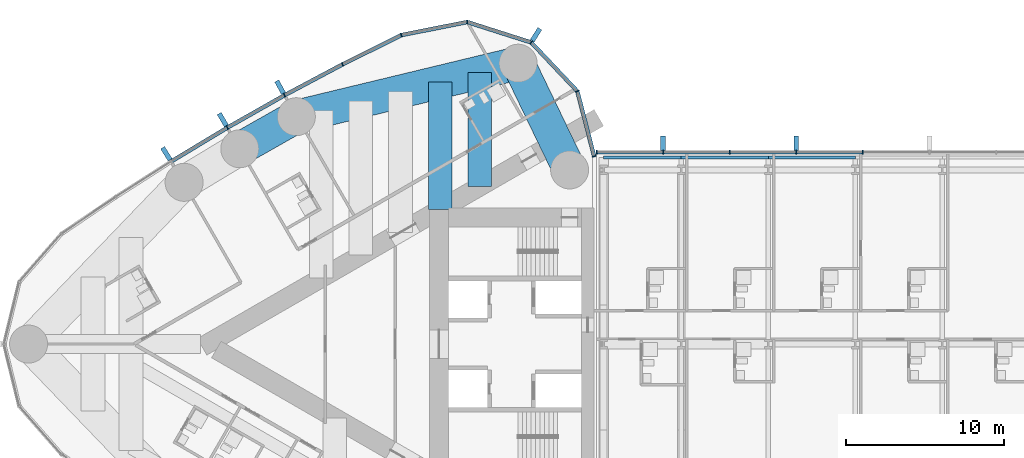
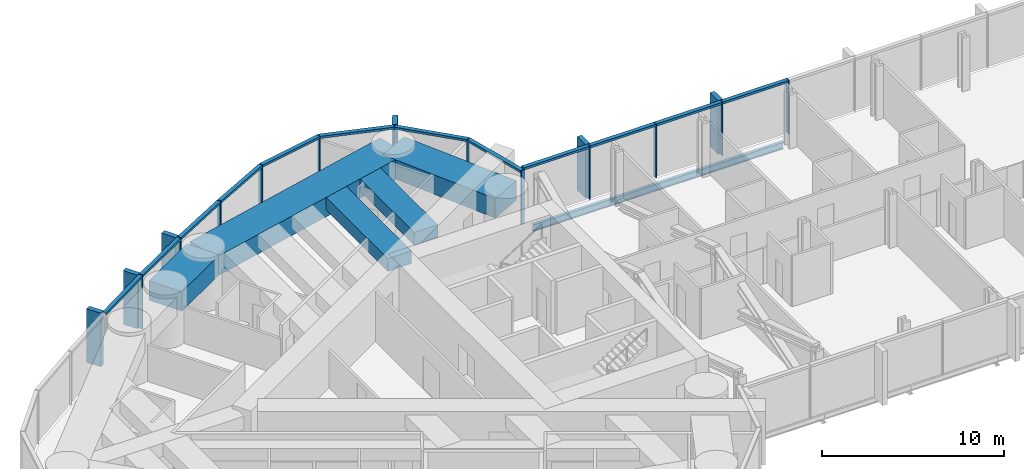
# One storey, part 5 of 22: 31 members, 8 beams, 2 elements without a shape of their own.
"""IFC4 building model written with IfcOpenShell, lengths in metres."""

from ifc_helpers import new_model, si_unit, direction, frame, origin, origin_2d, place, context, subcontext, project, spatial, rectangle, i_section, extrude, material, material_profile, profile_set, type_object, element, aggregate, save


model = new_model("IFC4")

# Units and contexts
model_context = context("Model", 3, precision=1e-05, world=origin(), true_north=direction((0.0, 1.0)))
body_context = subcontext(model_context, "Body", "Model", "MODEL_VIEW")
ifc_project = project(units=[si_unit("LENGTHUNIT", "METRE"), si_unit("AREAUNIT", "SQUARE_METRE"), si_unit("VOLUMEUNIT", "CUBIC_METRE"), si_unit("PLANEANGLEUNIT", "RADIAN"), si_unit("MASSUNIT", "GRAM", prefix="KILO")], contexts=[model_context])

# Site, building, storey
site_placement = place(None, origin())
site = spatial("IfcSite", under=ifc_project, at=site_placement, CompositionType="ELEMENT")
building_placement = place(site_placement, origin())
building = spatial("IfcBuilding", under=site, at=building_placement, Name="Lancet Gate Hotel", CompositionType="ELEMENT")
storey_placement = place(building_placement, frame((0.0, 0.0, 226.10009765625)))
storey = spatial("IfcBuildingStorey", under=building, at=storey_placement, Name="L60", CompositionType="ELEMENT", Elevation=226.10009765625)

# Curtain wall, members
ifc_material_1 = material(Name="Aluminium curtain wall", Category="aluminium")
curtain_wall_type_1 = type_object("IfcCurtainWallType", Name="Tower unitised curtain wall", PredefinedType="USERDEFINED", material=ifc_material_1)
curtain_wall_1_placement = place(storey_placement, origin())
curtain_wall_1 = element("IfcCurtainWall", 1, at=curtain_wall_1_placement, inside=storey, type_object=curtain_wall_type_1, Name="T1 L60 curtain wall 1", ObjectType="UNITISED CURTAIN WALL", PredefinedType="USERDEFINED")
ifc_material_2 = material(Name="Aluminium mullion", Category="aluminium")
ifc_material_profile_1 = material_profile(ifc_material_2, rectangle(XDim=0.06494140625, YDim=0.25, at=origin_2d()), Name="MULLION 65x250")
ifc_profile_set_1 = profile_set([ifc_material_profile_1], Name="Aluminium mullion")
member_type_1 = type_object("IfcMemberType", Name="Aluminium mullion 65x250", PredefinedType="MULLION", material=ifc_profile_set_1)
member_1_placement = place(storey_placement, frame((-27.5, 11.861572265625, 0.0), z_axis=(0.0, 0.0, 1.0), x_axis=(-0.249725827997, 0.968316586056, 0.0)))
member_1 = element("IfcMember", 2, at=member_1_placement, type_object=member_type_1, Name="T1 L60 curtain wall 1 mullion 1", PredefinedType="MULLION", context=body_context, shape_type="SweptSolid", body=[
    extrude(rectangle(XDim=0.06494140625, YDim=0.25, at=origin_2d()), origin(), (0.0, 0.0, 1.0), 3.599853515625),
])
member_2_placement = place(storey_placement, frame((-28.56005859375, 15.97216796875, 0.0), z_axis=(0.0, 0.0, 1.0), x_axis=(-0.483627322447, 0.875274021654, 0.0)))
member_2 = element("IfcMember", 3, at=member_2_placement, type_object=member_type_1, Name="T1 L60 curtain wall 1 mullion 2", PredefinedType="MULLION", context=body_context, shape_type="SweptSolid", body=[
    extrude(rectangle(XDim=0.06494140625, YDim=0.25, at=origin_2d()), origin(), (0.0, 0.0, 1.0), 3.599853515625),
])
member_3_placement = place(storey_placement, frame((-31.476318359375, 19.0576171875, 0.0), z_axis=(0.0, 0.0, 1.0), x_axis=(-0.846612863, 0.532209225966, 0.0)))
member_3 = element("IfcMember", 4, at=member_3_placement, type_object=member_type_1, Name="T1 L60 curtain wall 1 mullion 3", PredefinedType="MULLION", context=body_context, shape_type="SweptSolid", body=[
    extrude(rectangle(XDim=0.06494140625, YDim=0.25, at=origin_2d()), origin(), (0.0, 0.0, 1.0), 3.599853515625),
])
member_4_placement = place(storey_placement, frame((-35.520751953125, 20.347900390625, 0.0), z_axis=(0.0, 0.0, 1.0), x_axis=(-0.998409168318, 0.056383797491, 0.0)))
member_4 = element("IfcMember", 5, at=member_4_placement, type_object=member_type_1, Name="T1 L60 curtain wall 1 mullion 4", PredefinedType="MULLION", context=body_context, shape_type="SweptSolid", body=[
    extrude(rectangle(XDim=0.06494140625, YDim=0.25, at=origin_2d()), origin(), (0.0, 0.0, 1.0), 3.599853515625),
])
member_5_placement = place(storey_placement, frame((-39.684814453125, 19.521240234375, 0.0), z_axis=(0.0, 0.0, 1.0), x_axis=(-0.946887706423, -0.321564412561, 0.0)))
member_5 = element("IfcMember", 6, at=member_5_placement, type_object=member_type_1, Name="T1 L60 curtain wall 1 mullion 5", PredefinedType="MULLION", context=body_context, shape_type="SweptSolid", body=[
    extrude(rectangle(XDim=0.06494140625, YDim=0.25, at=origin_2d()), origin(), (0.0, 0.0, 1.0), 3.599853515625),
])
member_6_placement = place(storey_placement, frame((-43.3994140625, 17.67236328125, 0.0), z_axis=(0.0, 0.0, 1.0), x_axis=(-0.889155526065, -0.457605125046, 0.0)))
member_6 = element("IfcMember", 7, at=member_6_placement, type_object=member_type_1, Name="T1 L60 curtain wall 1 mullion 6", PredefinedType="MULLION", context=body_context, shape_type="SweptSolid", body=[
    extrude(rectangle(XDim=0.06494140625, YDim=0.25, at=origin_2d()), origin(), (0.0, 0.0, 1.0), 3.599853515625),
])
member_7_placement = place(storey_placement, frame((-47.062744140625, 15.72412109375, 0.0), z_axis=(0.0, 0.0, 1.0), x_axis=(-0.876516407283, -0.481371984815, 0.0)))
member_7 = element("IfcMember", 8, at=member_7_placement, type_object=member_type_1, Name="T1 L60 curtain wall 1 mullion 7", PredefinedType="MULLION", context=body_context, shape_type="SweptSolid", body=[
    extrude(rectangle(XDim=0.06494140625, YDim=0.25, at=origin_2d()), origin(), (0.0, 0.0, 1.0), 3.599853515625),
])
member_8_placement = place(storey_placement, frame((-50.67236328125, 13.677978515625, 0.0), z_axis=(0.0, 0.0, 1.0), x_axis=(-0.863242155108, -0.504790037189, 0.0)))
member_8 = element("IfcMember", 9, at=member_8_placement, type_object=member_type_1, Name="T1 L60 curtain wall 1 mullion 8", PredefinedType="MULLION", context=body_context, shape_type="SweptSolid", body=[
    extrude(rectangle(XDim=0.06494140625, YDim=0.25, at=origin_2d()), origin(), (0.0, 0.0, 1.0), 3.599853515625),
])

ifc_material_3 = material(Name="Aluminium curtain wall", Category="aluminium")
curtain_wall_type_2 = type_object("IfcCurtainWallType", Name="Bridge block curtain wall", PredefinedType="USERDEFINED", material=ifc_material_3)
curtain_wall_2_placement = place(storey_placement, origin())
curtain_wall_2 = element("IfcCurtainWall", 10, at=curtain_wall_2_placement, inside=storey, type_object=curtain_wall_type_2, Name="Bridge block L60 curtain wall N", ObjectType="UNITISED CURTAIN WALL", PredefinedType="USERDEFINED")
member_9_placement = place(storey_placement, frame((-10.519287109375, 12.1201171875, 0.0), z_axis=(0.0, 0.0, 1.0), x_axis=(-1.0, 0.0, 0.0)))
member_9 = element("IfcMember", 11, at=member_9_placement, type_object=member_type_1, Name="Bridge block L60 curtain wall N mullion 10", PredefinedType="MULLION", context=body_context, shape_type="SweptSolid", body=[
    extrude(rectangle(XDim=0.06494140625, YDim=0.25, at=origin_2d()), origin(), (0.0, 0.0, 1.0), 3.599853515625),
])
member_10_placement = place(storey_placement, frame((-14.726806640625, 12.1201171875, 0.0), z_axis=(0.0, 0.0, 1.0), x_axis=(-1.0, 0.0, 0.0)))
member_10 = element("IfcMember", 12, at=member_10_placement, type_object=member_type_1, Name="Bridge block L60 curtain wall N mullion 11", PredefinedType="MULLION", context=body_context, shape_type="SweptSolid", body=[
    extrude(rectangle(XDim=0.06494140625, YDim=0.25, at=origin_2d()), origin(), (0.0, 0.0, 1.0), 3.599853515625),
])
member_11_placement = place(storey_placement, frame((-18.9345703125, 12.1201171875, 0.0), z_axis=(0.0, 0.0, 1.0), x_axis=(-1.0, 0.0, 0.0)))
member_11 = element("IfcMember", 13, at=member_11_placement, type_object=member_type_1, Name="Bridge block L60 curtain wall N mullion 12", PredefinedType="MULLION", context=body_context, shape_type="SweptSolid", body=[
    extrude(rectangle(XDim=0.06494140625, YDim=0.25, at=origin_2d()), origin(), (0.0, 0.0, 1.0), 3.599853515625),
])
member_12_placement = place(storey_placement, frame((-23.142333984375, 12.1201171875, 0.0), z_axis=(0.0, 0.0, 1.0), x_axis=(-1.0, 0.0, 0.0)))
member_12 = element("IfcMember", 14, at=member_12_placement, type_object=member_type_1, Name="Bridge block L60 curtain wall N mullion 13", PredefinedType="MULLION", context=body_context, shape_type="SweptSolid", body=[
    extrude(rectangle(XDim=0.06494140625, YDim=0.25, at=origin_2d()), origin(), (0.0, 0.0, 1.0), 3.599853515625),
])
member_13_placement = place(storey_placement, frame((-27.35009765625, 12.1201171875, 0.0), z_axis=(0.0, 0.0, 1.0), x_axis=(-1.0, 0.0, 0.0)))
member_13 = element("IfcMember", 15, at=member_13_placement, type_object=member_type_1, Name="Bridge block L60 curtain wall N mullion 14", PredefinedType="MULLION", context=body_context, shape_type="SweptSolid", body=[
    extrude(rectangle(XDim=0.06494140625, YDim=0.25, at=origin_2d()), origin(), (0.0, 0.0, 1.0), 3.599853515625),
])

# Member
ifc_material_4 = material(Name="Aluminium transom", Category="aluminium")
ifc_material_profile_2 = material_profile(ifc_material_4, rectangle(XDim=0.25, YDim=0.14990234375, at=origin_2d()), Name="TRANSOM 250x150")
ifc_profile_set_2 = profile_set([ifc_material_profile_2], Name="Aluminium transom")
member_type_2 = type_object("IfcMemberType", Name="Aluminium transom 250x150", PredefinedType="USERDEFINED", material=ifc_profile_set_2)
member_14_placement = place(storey_placement, frame((-27.508056640625, 11.892822265625, 3.52490234375), z_axis=(-0.249715522936, 0.968319243641, 0.0), x_axis=(-0.968319243641, -0.249715522936, 0.0)))
member_14 = element("IfcMember", 16, at=member_14_placement, type_object=member_type_2, Name="T1 L60 curtain wall 1 transom 1", ObjectType="TRANSOM", PredefinedType="USERDEFINED", context=body_context, shape_type="SweptSolid", body=[
    extrude(rectangle(XDim=0.25, YDim=0.14990234375, at=origin_2d()), origin(), (0.0, 0.0, 1.0), 4.180419921875),
])

member_15_placement = place(storey_placement, frame((-28.58251953125, 15.995849609375, 3.52490234375), z_axis=(-0.686880731091, 0.726770157103, 0.0), x_axis=(-0.726770157103, -0.686880731091, 0.0)))
member_15 = element("IfcMember", 17, at=member_15_placement, type_object=member_type_2, Name="T1 L60 curtain wall 1 transom 2", ObjectType="TRANSOM", PredefinedType="USERDEFINED", context=body_context, shape_type="SweptSolid", body=[
    extrude(rectangle(XDim=0.25, YDim=0.14990234375, at=origin_2d()), origin(), (0.0, 0.0, 1.0), 4.18017578125),
])

member_16_placement = place(storey_placement, frame((-31.507080078125, 19.067626953125, 3.52490234375), z_axis=(-0.952697713775, 0.303919506068, 0.0), x_axis=(-0.303919506068, -0.952697713775, 0.0)))
member_16 = element("IfcMember", 18, at=member_16_placement, type_object=member_type_2, Name="T1 L60 curtain wall 1 transom 3", ObjectType="TRANSOM", PredefinedType="USERDEFINED", context=body_context, shape_type="SweptSolid", body=[
    extrude(rectangle(XDim=0.25, YDim=0.14990234375, at=origin_2d()), origin(), (0.0, 0.0, 1.0), 4.180419921875),
])

member_17_placement = place(storey_placement, frame((-35.552734375, 20.341552734375, 3.52490234375), z_axis=(-0.980858234867, -0.194723196085, 0.0), x_axis=(0.194723196085, -0.980858234867, 0.0)))
member_17 = element("IfcMember", 19, at=member_17_placement, type_object=member_type_2, Name="T1 L60 curtain wall 1 transom 4", ObjectType="TRANSOM", PredefinedType="USERDEFINED", context=body_context, shape_type="SweptSolid", body=[
    extrude(rectangle(XDim=0.25, YDim=0.14990234375, at=origin_2d()), origin(), (0.0, 0.0, 1.0), 4.18017578125),
])

member_18_placement = place(storey_placement, frame((-39.7138671875, 19.5068359375, 3.52490234375), z_axis=(-0.895226720479, -0.445610950202, 0.0), x_axis=(0.445610950202, -0.895226720479, 0.0)))
member_18 = element("IfcMember", 20, at=member_18_placement, type_object=member_type_2, Name="T1 L60 curtain wall 1 transom 5", ObjectType="TRANSOM", PredefinedType="USERDEFINED", context=body_context, shape_type="SweptSolid", body=[
    extrude(rectangle(XDim=0.25, YDim=0.14990234375, at=origin_2d()), origin(), (0.0, 0.0, 1.0), 4.08447265625),
])

member_19_placement = place(storey_placement, frame((-43.427978515625, 17.656982421875, 3.52490234375), z_axis=(-0.882944619844, -0.469477154171, 0.0), x_axis=(0.469477154171, -0.882944619844, 0.0)))
member_19 = element("IfcMember", 21, at=member_19_placement, type_object=member_type_2, Name="T1 L60 curtain wall 1 transom 6", ObjectType="TRANSOM", PredefinedType="USERDEFINED", context=body_context, shape_type="SweptSolid", body=[
    extrude(rectangle(XDim=0.25, YDim=0.14990234375, at=origin_2d()), origin(), (0.0, 0.0, 1.0), 4.084228515625),
])

member_20_placement = place(storey_placement, frame((-47.091064453125, 15.7080078125, 3.52490234375), z_axis=(-0.869977740049, -0.493090997503, 0.0), x_axis=(0.493090997503, -0.869977740049, 0.0)))
member_20 = element("IfcMember", 22, at=member_20_placement, type_object=member_type_2, Name="T1 L60 curtain wall 1 transom 7", ObjectType="TRANSOM", PredefinedType="USERDEFINED", context=body_context, shape_type="SweptSolid", body=[
    extrude(rectangle(XDim=0.25, YDim=0.14990234375, at=origin_2d()), origin(), (0.0, 0.0, 1.0), 4.084228515625),
])

member_21_placement = place(storey_placement, frame((-50.7001953125, 13.661376953125, 3.52490234375), z_axis=(-0.856362214892, -0.516375596737, 0.0), x_axis=(0.516375596737, -0.856362214892, 0.0)))
member_21 = element("IfcMember", 23, at=member_21_placement, type_object=member_type_2, Name="T1 L60 curtain wall 1 transom 8", ObjectType="TRANSOM", PredefinedType="USERDEFINED", context=body_context, shape_type="SweptSolid", body=[
    extrude(rectangle(XDim=0.25, YDim=0.14990234375, at=origin_2d()), origin(), (0.0, 0.0, 1.0), 4.08447265625),
])

member_22_placement = place(storey_placement, frame((-10.5517578125, 12.1201171875, 3.52490234375), z_axis=(-1.0, 0.0, 0.0), x_axis=(0.0, -1.0, 0.0)))
member_22 = element("IfcMember", 24, at=member_22_placement, type_object=member_type_2, Name="Bridge block L60 curtain wall N transom 10", ObjectType="TRANSOM", PredefinedType="USERDEFINED", context=body_context, shape_type="SweptSolid", body=[
    extrude(rectangle(XDim=0.25, YDim=0.14990234375, at=origin_2d()), origin(), (0.0, 0.0, 1.0), 4.142578125),
])

member_23_placement = place(storey_placement, frame((-14.759521484375, 12.1201171875, 3.52490234375), z_axis=(-1.0, 0.0, 0.0), x_axis=(0.0, -1.0, 0.0)))
member_23 = element("IfcMember", 25, at=member_23_placement, type_object=member_type_2, Name="Bridge block L60 curtain wall N transom 11", ObjectType="TRANSOM", PredefinedType="USERDEFINED", context=body_context, shape_type="SweptSolid", body=[
    extrude(rectangle(XDim=0.25, YDim=0.14990234375, at=origin_2d()), origin(), (0.0, 0.0, 1.0), 4.142578125),
])

member_24_placement = place(storey_placement, frame((-18.967041015625, 12.1201171875, 3.52490234375), z_axis=(-1.0, 0.0, 0.0), x_axis=(0.0, -1.0, 0.0)))
member_24 = element("IfcMember", 26, at=member_24_placement, type_object=member_type_2, Name="Bridge block L60 curtain wall N transom 12", ObjectType="TRANSOM", PredefinedType="USERDEFINED", context=body_context, shape_type="SweptSolid", body=[
    extrude(rectangle(XDim=0.25, YDim=0.14990234375, at=origin_2d()), origin(), (0.0, 0.0, 1.0), 4.142822265625),
])

member_25_placement = place(storey_placement, frame((-23.1748046875, 12.1201171875, 3.52490234375), z_axis=(-1.0, 0.0, 0.0), x_axis=(0.0, -1.0, 0.0)))
member_25 = element("IfcMember", 27, at=member_25_placement, type_object=member_type_2, Name="Bridge block L60 curtain wall N transom 13", ObjectType="TRANSOM", PredefinedType="USERDEFINED", context=body_context, shape_type="SweptSolid", body=[
    extrude(rectangle(XDim=0.25, YDim=0.14990234375, at=origin_2d()), origin(), (0.0, 0.0, 1.0), 4.142578125),
])

# Beams
ifc_material_5 = material(Name="Steel S355", Category="steel")
ifc_material_profile_3 = material_profile(ifc_material_5, i_section(OverallWidth=0.19140625, OverallDepth=0.4599609375, WebThickness=0.010009765625, FlangeThickness=0.01611328125, FilletRadius=0.01025390625, at=origin_2d()), Name="UKB 457x191x82")
ifc_profile_set_3 = profile_set([ifc_material_profile_3], Name="Steel S355")
beam_type_1 = type_object("IfcBeamType", Name="Block edge beam UKB 457x191x82", PredefinedType="SPANDREL", material=ifc_profile_set_3)
beam_1_placement = place(storey_placement, frame((-26.89990234375, 11.800048828125, -0.43017578125), z_axis=(1.0, 0.0, 0.0), x_axis=(0.0, 1.0, 0.0)))
element("IfcBeam", 28, at=beam_1_placement, inside=storey, type_object=beam_type_1, Name="Block edge beam N 0-1 L60", PredefinedType="SPANDREL", context=body_context, shape_type="SweptSolid", body=[
    extrude(i_section(OverallWidth=0.19140625, OverallDepth=0.4599609375, WebThickness=0.010009765625, FlangeThickness=0.01611328125, FilletRadius=0.01025390625, at=origin_2d()), origin(), (0.0, 0.0, 1.0), 4.89990234375),
])
for number, where, z_axis, x_axis, name in (
    (29, (-22.0, 11.800048828125, -0.43017578125), (1.0, 0.0, 0.0), (0.0, 1.0, 0.0), "Block edge beam N 1-2 L60"),
    (30, (-16.5, 11.800048828125, -0.43017578125), (1.0, 0.0, 0.0), (0.0, 1.0, 0.0), "Block edge beam N 2-3 L60"),
):
    element("IfcBeam", number, at=place(storey_placement, frame(where, z_axis=z_axis, x_axis=x_axis)), inside=storey, type_object=beam_type_1, Name=name, PredefinedType="SPANDREL", context=body_context, shape_type="SweptSolid", body=[
        extrude(i_section(OverallWidth=0.19140625, OverallDepth=0.4599609375, WebThickness=0.010009765625, FlangeThickness=0.01611328125, FilletRadius=0.01025390625, at=origin_2d()), origin(), (0.0, 0.0, 1.0), 5.5),
    ])
ifc_material_6 = material(Name="Concrete C50/60", Category="concrete")
ifc_material_profile_4 = material_profile(ifc_material_6, rectangle(XDim=2.10009765625, YDim=1.300048828125, at=origin_2d()), Name="RC 2100x1300")
ifc_profile_set_4 = profile_set([ifc_material_profile_4], Name="Concrete C50/60")
beam_type_2 = type_object("IfcBeamType", Name="Edge beam RC 2100x1300", PredefinedType="SPANDREL", material=ifc_profile_set_4)
beam_2_placement = place(storey_placement, frame((-32.301025390625, 17.745361328125, 2.699951171875), z_axis=(-0.972132796948, -0.234430853556, 0.0), x_axis=(0.234430853556, -0.972132796948, 0.0)))
element("IfcBeam", 31, at=beam_2_placement, inside=storey, type_object=beam_type_2, Name="T1 edge beam EB1 L60", PredefinedType="SPANDREL", context=body_context, shape_type="SweptSolid", body=[
    extrude(rectangle(XDim=2.10009765625, YDim=1.300048828125, at=origin_2d()), origin(), (0.0, 0.0, 1.0), 14.41748046875),
])
beam_3_placement = place(storey_placement, frame((-46.316650390625, 14.365478515625, 2.699951171875), z_axis=(-0.869978841992, -0.493089053301, 0.0), x_axis=(0.493089053301, -0.869978841992, 0.0)))
element("IfcBeam", 32, at=beam_3_placement, inside=storey, type_object=beam_type_2, Name="T1 edge beam EB1 L60", PredefinedType="SPANDREL", context=body_context, shape_type="SweptSolid", body=[
    extrude(rectangle(XDim=2.10009765625, YDim=1.300048828125, at=origin_2d()), origin(), (0.0, 0.0, 1.0), 4.107666015625),
])
beam_4_placement = place(storey_placement, frame((-32.301025390625, 17.745361328125, 2.699951171875), z_axis=(0.434163599361, -0.900834040759, 0.0), x_axis=(0.900834040759, 0.434163599361, 0.0)))
element("IfcBeam", 33, at=beam_4_placement, inside=storey, type_object=beam_type_2, Name="T1 edge beam EB1 L60", PredefinedType="SPANDREL", context=body_context, shape_type="SweptSolid", body=[
    extrude(rectangle(XDim=2.10009765625, YDim=1.300048828125, at=origin_2d()), origin(), (0.0, 0.0, 1.0), 7.48779296875),
])

# Member
ifc_material_7 = material(Name="Precast concrete C50/60", Category="concrete")
ifc_material_profile_5 = material_profile(ifc_material_7, rectangle(XDim=0.300048828125, YDim=0.89990234375, at=origin_2d()), Name="FIN 300x900")
ifc_profile_set_5 = profile_set([ifc_material_profile_5], Name="Precast concrete C50/60")
member_type_3 = type_object("IfcMemberType", Name="Exposed concrete fin 300x900", PredefinedType="USERDEFINED", material=ifc_profile_set_5)
member_26_placement = place(storey_placement, frame((-31.170166015625, 19.54443359375, 0.0), z_axis=(0.0, 0.0, 1.0), x_axis=(-0.846612863, 0.532209225966, 0.0)))
member_26 = element("IfcMember", 34, at=member_26_placement, type_object=member_type_3, Name="T1 L60 curtain wall 1 fin 3", ObjectType="FIN", PredefinedType="USERDEFINED", context=body_context, shape_type="SweptSolid", body=[
    extrude(rectangle(XDim=0.300048828125, YDim=0.89990234375, at=origin_2d()), origin(), (0.0, 0.0, 1.0), 3.599853515625),
])

member_27_placement = place(storey_placement, frame((-47.339599609375, 16.22802734375, 0.0), z_axis=(0.0, 0.0, 1.0), x_axis=(-0.876516407283, -0.481371984815, 0.0)))
member_27 = element("IfcMember", 35, at=member_27_placement, type_object=member_type_3, Name="T1 L60 curtain wall 1 fin 7", ObjectType="FIN", PredefinedType="USERDEFINED", context=body_context, shape_type="SweptSolid", body=[
    extrude(rectangle(XDim=0.300048828125, YDim=0.89990234375, at=origin_2d()), origin(), (0.0, 0.0, 1.0), 3.599853515625),
])

member_28_placement = place(storey_placement, frame((-50.962646484375, 14.17431640625, 0.0), z_axis=(0.0, 0.0, 1.0), x_axis=(-0.863242155108, -0.504790037189, 0.0)))
member_28 = element("IfcMember", 36, at=member_28_placement, type_object=member_type_3, Name="T1 L60 curtain wall 1 fin 8", ObjectType="FIN", PredefinedType="USERDEFINED", context=body_context, shape_type="SweptSolid", body=[
    extrude(rectangle(XDim=0.300048828125, YDim=0.89990234375, at=origin_2d()), origin(), (0.0, 0.0, 1.0), 3.599853515625),
])

member_29_placement = place(storey_placement, frame((-54.529296875, 12.02392578125, 0.0), z_axis=(0.0, 0.0, 1.0), x_axis=(-0.849342388216, -0.527842313176, 0.0)))
member_29 = element("IfcMember", 37, at=member_29_placement, type_object=member_type_3, Name="T1 L60 curtain wall 1 fin 9", ObjectType="FIN", PredefinedType="USERDEFINED", context=body_context, shape_type="SweptSolid", body=[
    extrude(rectangle(XDim=0.300048828125, YDim=0.89990234375, at=origin_2d()), origin(), (0.0, 0.0, 1.0), 3.599853515625),
])

aggregate(curtain_wall_1, [member_1, member_2, member_3, member_26, member_4, member_5, member_6, member_7, member_27, member_8, member_28, member_29, member_14, member_15, member_16, member_17, member_18, member_19, member_20, member_21])

member_30_placement = place(storey_placement, frame((-14.726806640625, 12.695068359375, 0.0), z_axis=(0.0, 0.0, 1.0), x_axis=(-1.0, 0.0, 0.0)))
member_30 = element("IfcMember", 38, at=member_30_placement, type_object=member_type_3, Name="Bridge block L60 curtain wall N fin 11", ObjectType="FIN", PredefinedType="USERDEFINED", context=body_context, shape_type="SweptSolid", body=[
    extrude(rectangle(XDim=0.300048828125, YDim=0.89990234375, at=origin_2d()), origin(), (0.0, 0.0, 1.0), 3.599853515625),
])

member_31_placement = place(storey_placement, frame((-23.142333984375, 12.695068359375, 0.0), z_axis=(0.0, 0.0, 1.0), x_axis=(-1.0, 0.0, 0.0)))
member_31 = element("IfcMember", 39, at=member_31_placement, type_object=member_type_3, Name="Bridge block L60 curtain wall N fin 13", ObjectType="FIN", PredefinedType="USERDEFINED", context=body_context, shape_type="SweptSolid", body=[
    extrude(rectangle(XDim=0.300048828125, YDim=0.89990234375, at=origin_2d()), origin(), (0.0, 0.0, 1.0), 3.599853515625),
])

aggregate(curtain_wall_2, [member_9, member_10, member_30, member_11, member_12, member_31, member_13, member_22, member_23, member_24, member_25])

# Beams
ifc_material_8 = material(Name="Concrete C50/60", Category="concrete")
ifc_material_profile_6 = material_profile(ifc_material_8, rectangle(XDim=1.5, YDim=0.85009765625, at=origin_2d()), Name="RC 1500x850")
ifc_profile_set_6 = profile_set([ifc_material_profile_6], Name="Concrete C50/60")
beam_type_3 = type_object("IfcBeamType", Name="Floor beam RC 1500x850", PredefinedType="BEAM", material=ifc_profile_set_6)
beam_5_placement = place(storey_placement, frame((-34.720458984375, 17.161865234375, 2.9248046875), z_axis=(0.0, -1.0, 0.0), x_axis=(1.0, 0.0, 0.0)))
element("IfcBeam", 40, at=beam_5_placement, inside=storey, type_object=beam_type_3, Name="T1 floor beam F02S L60", PredefinedType="BEAM", context=body_context, shape_type="SweptSolid", body=[
    extrude(rectangle(XDim=1.5, YDim=0.85009765625, at=origin_2d()), origin(), (0.0, 0.0, 1.0), 7.203857421875),
])
beam_6_placement = place(storey_placement, frame((-37.227294921875, 16.557373046875, 2.9248046875), z_axis=(0.0, -1.0, 0.0), x_axis=(1.0, 0.0, 0.0)))
element("IfcBeam", 41, at=beam_6_placement, inside=storey, type_object=beam_type_3, Name="T1 floor beam F03S L60", PredefinedType="BEAM", context=body_context, shape_type="SweptSolid", body=[
    extrude(rectangle(XDim=1.5, YDim=0.85009765625, at=origin_2d()), origin(), (0.0, 0.0, 1.0), 8.046630859375),
])

save(model, "model.ifc")
